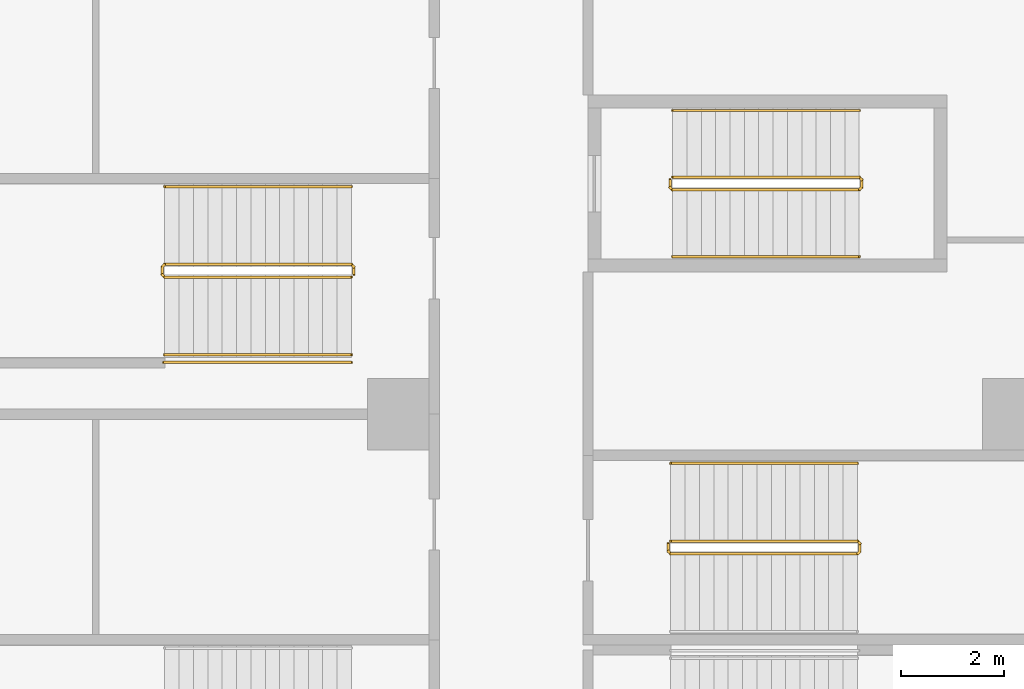
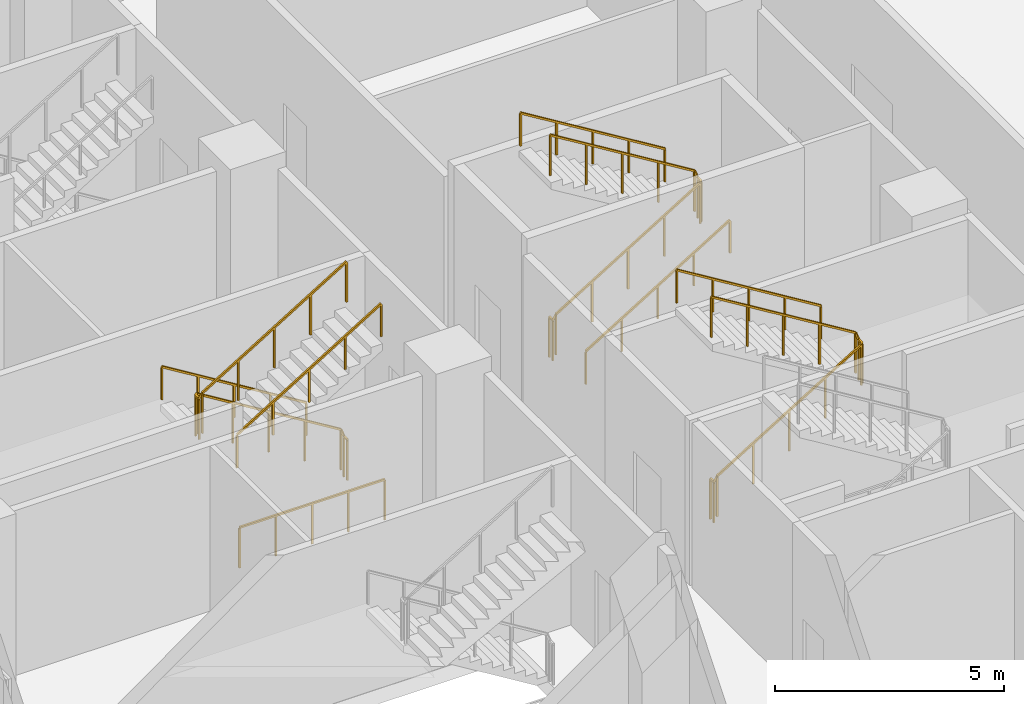
# One storey, part 26 of 31: 9 railings.
"""IFC4 building model written with IfcOpenShell, lengths in metres."""

from ifc_helpers import new_model, si_unit, direction, frame, origin, origin_2d, place, context, subcontext, project, spatial, rectangle, extrude, material, type_object, element, save


model = new_model("IFC4")

# Units and contexts
model_context = context("Model", 3, precision=1e-05, world=origin(), true_north=direction((0.0, 1.0)))
body_context = subcontext(model_context, "Body", "Model", "MODEL_VIEW")
ifc_project = project(units=[si_unit("LENGTHUNIT", "METRE"), si_unit("AREAUNIT", "SQUARE_METRE"), si_unit("VOLUMEUNIT", "CUBIC_METRE"), si_unit("PLANEANGLEUNIT", "RADIAN"), si_unit("MASSUNIT", "GRAM", prefix="KILO")], contexts=[model_context])

# Site, building, storey
site_placement = place(None, origin())
site = spatial("IfcSite", under=ifc_project, at=site_placement, CompositionType="ELEMENT")
building_placement = place(site_placement, origin())
building = spatial("IfcBuilding", under=site, at=building_placement, Name="Chenar Terraces", CompositionType="ELEMENT")
storey_placement = place(building_placement, frame((0.0, 0.0, 12.0)))
storey = spatial("IfcBuildingStorey", under=building, at=storey_placement, Name="L02", CompositionType="ELEMENT", Elevation=12.0)

# Railings
ifc_material_1 = material(Name="Powder-coated steel", Category="steel")
railing_type_1 = type_object("IfcRailingType", Name="Stair guard 1100", PredefinedType="GUARDRAIL", material=ifc_material_1)
railing_1_placement = place(storey_placement, frame((17.25, 49.625, 4.800048828125)))
element("IfcRailing", 1, at=railing_1_placement, inside=storey, type_object=railing_type_1, Name="L02 ST4 stair guard 1", PredefinedType="GUARDRAIL", context=body_context, shape_type="SweptSolid", body=[
    extrude(rectangle(XDim=0.048095703125, YDim=0.048095703125, at=origin_2d()), frame((0.0, 0.0, 1.076171875), z_axis=(0.852850264322, 0.0, -0.5221555579), x_axis=(0.0, 1.0, 0.0)), (0.0, 0.0, 1.0), 4.267822265625),
    extrude(rectangle(XDim=0.048095703125, YDim=0.048095703125, at=origin_2d()), frame((3.639892578125, 0.0, -1.15234375), z_axis=(0.269583098496, -0.269583098496, -0.924472771914), x_axis=(0.707106781187, 0.707106781187, 0.0)), (0.0, 0.0, 1.0), 0.185546875),
    extrude(rectangle(XDim=0.048095703125, YDim=0.048095703125, at=origin_2d()), frame((3.68994140625, -0.050048828125, -1.32421875), z_axis=(0.0, -1.0, 0.0), x_axis=(1.0, 0.0, 0.0)), (0.0, 0.0, 1.0), 0.14990234375),
    extrude(rectangle(XDim=0.048095703125, YDim=0.048095703125, at=origin_2d()), frame((3.68994140625, -0.199951171875, -1.32421875), z_axis=(-0.707106781187, -0.707106781187, 0.0), x_axis=(0.707106781187, -0.707106781187, 0.0)), (0.0, 0.0, 1.0), 0.07080078125),
    extrude(rectangle(XDim=0.048095703125, YDim=0.048095703125, at=origin_2d()), frame((3.639892578125, -0.25, -1.32421875), z_axis=(-0.852850264322, 0.0, -0.5221555579), x_axis=(0.0, -1.0, 0.0)), (0.0, 0.0, 1.0), 4.267822265625),
    extrude(rectangle(XDim=0.048095703125, YDim=0.048095703125, at=origin_2d()), frame((0.0, -0.25, -3.552734375), z_axis=(-0.269911200495, 0.269911200495, -0.924281281696), x_axis=(-0.707106781187, -0.707106781187, 0.0)), (0.0, 0.0, 1.0), 0.185546875),
    extrude(rectangle(XDim=0.048095703125, YDim=0.048095703125, at=origin_2d()), frame((-0.050048828125, -0.199951171875, -3.72412109375), z_axis=(0.0, 1.0, 0.0), x_axis=(-1.0, 0.0, 0.0)), (0.0, 0.0, 1.0), 0.14990234375),
    extrude(rectangle(XDim=0.0419921875, YDim=0.0419921875, at=origin_2d()), origin(), (0.0, 0.0, 1.0), 1.052001953125),
    extrude(rectangle(XDim=0.0419921875, YDim=0.0419921875, at=origin_2d()), frame((0.909912109375, 0.0, -0.55712890625)), (0.0, 0.0, 1.0), 1.052001953125),
    extrude(rectangle(XDim=0.0419921875, YDim=0.0419921875, at=origin_2d()), frame((1.81982421875, 0.0, -1.1142578125)), (0.0, 0.0, 1.0), 1.052001953125),
    extrude(rectangle(XDim=0.0419921875, YDim=0.0419921875, at=origin_2d()), frame((2.72998046875, 0.0, -1.67138671875)), (0.0, 0.0, 1.0), 1.052001953125),
    extrude(rectangle(XDim=0.0419921875, YDim=0.0419921875, at=origin_2d()), frame((3.639892578125, 0.0, -2.228515625)), (0.0, 0.0, 1.0), 1.052001953125),
    extrude(rectangle(XDim=0.0419921875, YDim=0.0419921875, at=origin_2d()), frame((3.68994140625, -0.050048828125, -2.400146484375)), (0.0, 0.0, 1.0), 1.052001953125),
    extrude(rectangle(XDim=0.0419921875, YDim=0.0419921875, at=origin_2d()), frame((3.68994140625, -0.199951171875, -2.400146484375)), (0.0, 0.0, 1.0), 1.052001953125),
    extrude(rectangle(XDim=0.0419921875, YDim=0.0419921875, at=origin_2d()), frame((3.639892578125, -0.25, -2.400146484375)), (0.0, 0.0, 1.0), 1.052001953125),
    extrude(rectangle(XDim=0.0419921875, YDim=0.0419921875, at=origin_2d()), frame((2.72998046875, -0.25, -2.957275390625)), (0.0, 0.0, 1.0), 1.052001953125),
    extrude(rectangle(XDim=0.0419921875, YDim=0.0419921875, at=origin_2d()), frame((1.81982421875, -0.25, -3.514404296875)), (0.0, 0.0, 1.0), 1.052001953125),
    extrude(rectangle(XDim=0.0419921875, YDim=0.0419921875, at=origin_2d()), frame((0.909912109375, -0.25, -4.071533203125)), (0.0, 0.0, 1.0), 1.052001953125),
    extrude(rectangle(XDim=0.0419921875, YDim=0.0419921875, at=origin_2d()), frame((0.0, -0.25, -4.628662109375)), (0.0, 0.0, 1.0), 1.052001953125),
    extrude(rectangle(XDim=0.0419921875, YDim=0.0419921875, at=origin_2d()), frame((-0.050048828125, -0.199951171875, -4.800048828125)), (0.0, 0.0, 1.0), 1.052001953125),
    extrude(rectangle(XDim=0.0419921875, YDim=0.0419921875, at=origin_2d()), frame((-0.050048828125, -0.050048828125, -4.800048828125)), (0.0, 0.0, 1.0), 1.052001953125),
])
railing_2_placement = place(storey_placement, frame((10.985107421875, 47.675048828125, 4.800048828125)))
element("IfcRailing", 2, at=railing_2_placement, inside=storey, type_object=railing_type_1, Name="L02 PS4 stair guard 1", PredefinedType="GUARDRAIL", context=body_context, shape_type="SweptSolid", body=[
    extrude(rectangle(XDim=0.048095703125, YDim=0.048095703125, at=origin_2d()), frame((0.0, 0.0, 1.076171875), z_axis=(-0.852865859571, 0.0, -0.52213008492), x_axis=(0.0, -1.0, 0.0)), (0.0, 0.0, 1.0), 4.26806640625),
    extrude(rectangle(XDim=0.048095703125, YDim=0.048095703125, at=origin_2d()), frame((-3.64013671875, 0.0, -1.15234375), z_axis=(-0.269583098496, 0.269583098496, -0.924472771914), x_axis=(-0.707106781187, -0.707106781187, 0.0)), (0.0, 0.0, 1.0), 0.185546875),
    extrude(rectangle(XDim=0.048095703125, YDim=0.048095703125, at=origin_2d()), frame((-3.690185546875, 0.050048828125, -1.32421875), z_axis=(0.0, 1.0, 0.0), x_axis=(-1.0, 0.0, 0.0)), (0.0, 0.0, 1.0), 0.14990234375),
    extrude(rectangle(XDim=0.048095703125, YDim=0.048095703125, at=origin_2d()), frame((-3.690185546875, 0.199951171875, -1.32421875), z_axis=(0.707106781187, 0.707106781187, 0.0), x_axis=(-0.707106781187, 0.707106781187, 0.0)), (0.0, 0.0, 1.0), 0.07080078125),
    extrude(rectangle(XDim=0.048095703125, YDim=0.048095703125, at=origin_2d()), frame((-3.64013671875, 0.25, -1.32421875), z_axis=(0.852865859571, 0.0, -0.52213008492), x_axis=(0.0, 1.0, 0.0)), (0.0, 0.0, 1.0), 4.26806640625),
    extrude(rectangle(XDim=0.048095703125, YDim=0.048095703125, at=origin_2d()), frame((0.0, 0.25, -3.552734375), z_axis=(0.268689830376, -0.270006937388, -0.924609122178), x_axis=(0.708833529934, 0.705375805398, 0.0)), (0.0, 0.0, 1.0), 0.185302734375),
    extrude(rectangle(XDim=0.048095703125, YDim=0.048095703125, at=origin_2d()), frame((0.0498046875, 0.199951171875, -3.72412109375), z_axis=(0.0, -1.0, 0.0), x_axis=(1.0, 0.0, 0.0)), (0.0, 0.0, 1.0), 0.14990234375),
    extrude(rectangle(XDim=0.0419921875, YDim=0.0419921875, at=origin_2d()), origin(), (0.0, 0.0, 1.0), 1.052001953125),
    extrude(rectangle(XDim=0.0419921875, YDim=0.0419921875, at=origin_2d()), frame((-0.91015625, 0.0, -0.55712890625)), (0.0, 0.0, 1.0), 1.052001953125),
    extrude(rectangle(XDim=0.0419921875, YDim=0.0419921875, at=origin_2d()), frame((-1.820068359375, 0.0, -1.1142578125)), (0.0, 0.0, 1.0), 1.052001953125),
    extrude(rectangle(XDim=0.0419921875, YDim=0.0419921875, at=origin_2d()), frame((-2.72998046875, 0.0, -1.67138671875)), (0.0, 0.0, 1.0), 1.052001953125),
    extrude(rectangle(XDim=0.0419921875, YDim=0.0419921875, at=origin_2d()), frame((-3.64013671875, 0.0, -2.228515625)), (0.0, 0.0, 1.0), 1.052001953125),
    extrude(rectangle(XDim=0.0419921875, YDim=0.0419921875, at=origin_2d()), frame((-3.690185546875, 0.050048828125, -2.400146484375)), (0.0, 0.0, 1.0), 1.052001953125),
    extrude(rectangle(XDim=0.0419921875, YDim=0.0419921875, at=origin_2d()), frame((-3.690185546875, 0.199951171875, -2.400146484375)), (0.0, 0.0, 1.0), 1.052001953125),
    extrude(rectangle(XDim=0.0419921875, YDim=0.0419921875, at=origin_2d()), frame((-3.64013671875, 0.25, -2.400146484375)), (0.0, 0.0, 1.0), 1.052001953125),
    extrude(rectangle(XDim=0.0419921875, YDim=0.0419921875, at=origin_2d()), frame((-2.72998046875, 0.25, -2.957275390625)), (0.0, 0.0, 1.0), 1.052001953125),
    extrude(rectangle(XDim=0.0419921875, YDim=0.0419921875, at=origin_2d()), frame((-1.820068359375, 0.25, -3.514404296875)), (0.0, 0.0, 1.0), 1.052001953125),
    extrude(rectangle(XDim=0.0419921875, YDim=0.0419921875, at=origin_2d()), frame((-0.91015625, 0.25, -4.071533203125)), (0.0, 0.0, 1.0), 1.052001953125),
    extrude(rectangle(XDim=0.0419921875, YDim=0.0419921875, at=origin_2d()), frame((0.0, 0.25, -4.628662109375)), (0.0, 0.0, 1.0), 1.052001953125),
    extrude(rectangle(XDim=0.0419921875, YDim=0.0419921875, at=origin_2d()), frame((0.0498046875, 0.199951171875, -4.800048828125)), (0.0, 0.0, 1.0), 1.052001953125),
    extrude(rectangle(XDim=0.0419921875, YDim=0.0419921875, at=origin_2d()), frame((0.0498046875, 0.050048828125, -4.800048828125)), (0.0, 0.0, 1.0), 1.052001953125),
])
railing_3_placement = place(storey_placement, frame((17.215087890625, 42.52490234375, 4.800048828125)))
element("IfcRailing", 3, at=railing_3_placement, inside=storey, type_object=railing_type_1, Name="L02 PS8 stair guard 1", PredefinedType="GUARDRAIL", context=body_context, shape_type="SweptSolid", body=[
    extrude(rectangle(XDim=0.048095703125, YDim=0.048095703125, at=origin_2d()), frame((0.0, 0.0, 1.076171875), z_axis=(0.852850264322, 0.0, -0.5221555579), x_axis=(0.0, 1.0, 0.0)), (0.0, 0.0, 1.0), 4.267822265625),
    extrude(rectangle(XDim=0.048095703125, YDim=0.048095703125, at=origin_2d()), frame((3.639892578125, 0.0, -1.15234375), z_axis=(0.269678486558, -0.268362981746, -0.924799883173), x_axis=(0.705375805398, 0.708833529934, 0.0)), (0.0, 0.0, 1.0), 0.185546875),
    extrude(rectangle(XDim=0.048095703125, YDim=0.048095703125, at=origin_2d()), frame((3.68994140625, -0.0498046875, -1.32421875), z_axis=(0.0, -1.0, 0.0), x_axis=(1.0, 0.0, 0.0)), (0.0, 0.0, 1.0), 0.150146484375),
    extrude(rectangle(XDim=0.048095703125, YDim=0.048095703125, at=origin_2d()), frame((3.68994140625, -0.199951171875, -1.32421875), z_axis=(-0.707106781187, -0.707106781187, 0.0), x_axis=(0.707106781187, -0.707106781187, 0.0)), (0.0, 0.0, 1.0), 0.07080078125),
    extrude(rectangle(XDim=0.048095703125, YDim=0.048095703125, at=origin_2d()), frame((3.639892578125, -0.25, -1.32421875), z_axis=(-0.852850264322, 0.0, -0.5221555579), x_axis=(0.0, -1.0, 0.0)), (0.0, 0.0, 1.0), 4.267822265625),
    extrude(rectangle(XDim=0.048095703125, YDim=0.048095703125, at=origin_2d()), frame((0.0, -0.25, -3.552734375), z_axis=(-0.269911200495, 0.269911200495, -0.924281281696), x_axis=(-0.707106781187, -0.707106781187, 0.0)), (0.0, 0.0, 1.0), 0.185546875),
    extrude(rectangle(XDim=0.048095703125, YDim=0.048095703125, at=origin_2d()), frame((-0.050048828125, -0.199951171875, -3.72412109375), z_axis=(0.0, 1.0, 0.0), x_axis=(-1.0, 0.0, 0.0)), (0.0, 0.0, 1.0), 0.150146484375),
    extrude(rectangle(XDim=0.0419921875, YDim=0.0419921875, at=origin_2d()), origin(), (0.0, 0.0, 1.0), 1.052001953125),
    extrude(rectangle(XDim=0.0419921875, YDim=0.0419921875, at=origin_2d()), frame((0.909912109375, 0.0, -0.55712890625)), (0.0, 0.0, 1.0), 1.052001953125),
    extrude(rectangle(XDim=0.0419921875, YDim=0.0419921875, at=origin_2d()), frame((1.81982421875, 0.0, -1.1142578125)), (0.0, 0.0, 1.0), 1.052001953125),
    extrude(rectangle(XDim=0.0419921875, YDim=0.0419921875, at=origin_2d()), frame((2.72998046875, 0.0, -1.67138671875)), (0.0, 0.0, 1.0), 1.052001953125),
    extrude(rectangle(XDim=0.0419921875, YDim=0.0419921875, at=origin_2d()), frame((3.639892578125, 0.0, -2.228515625)), (0.0, 0.0, 1.0), 1.052001953125),
    extrude(rectangle(XDim=0.0419921875, YDim=0.0419921875, at=origin_2d()), frame((3.68994140625, -0.0498046875, -2.400146484375)), (0.0, 0.0, 1.0), 1.052001953125),
    extrude(rectangle(XDim=0.0419921875, YDim=0.0419921875, at=origin_2d()), frame((3.68994140625, -0.199951171875, -2.400146484375)), (0.0, 0.0, 1.0), 1.052001953125),
    extrude(rectangle(XDim=0.0419921875, YDim=0.0419921875, at=origin_2d()), frame((3.639892578125, -0.25, -2.400146484375)), (0.0, 0.0, 1.0), 1.052001953125),
    extrude(rectangle(XDim=0.0419921875, YDim=0.0419921875, at=origin_2d()), frame((2.72998046875, -0.25, -2.957275390625)), (0.0, 0.0, 1.0), 1.052001953125),
    extrude(rectangle(XDim=0.0419921875, YDim=0.0419921875, at=origin_2d()), frame((1.81982421875, -0.25, -3.514404296875)), (0.0, 0.0, 1.0), 1.052001953125),
    extrude(rectangle(XDim=0.0419921875, YDim=0.0419921875, at=origin_2d()), frame((0.909912109375, -0.25, -4.071533203125)), (0.0, 0.0, 1.0), 1.052001953125),
    extrude(rectangle(XDim=0.0419921875, YDim=0.0419921875, at=origin_2d()), frame((0.0, -0.25, -4.628662109375)), (0.0, 0.0, 1.0), 1.052001953125),
    extrude(rectangle(XDim=0.0419921875, YDim=0.0419921875, at=origin_2d()), frame((-0.050048828125, -0.199951171875, -4.800048828125)), (0.0, 0.0, 1.0), 1.052001953125),
    extrude(rectangle(XDim=0.0419921875, YDim=0.0419921875, at=origin_2d()), frame((-0.050048828125, -0.0498046875, -4.800048828125)), (0.0, 0.0, 1.0), 1.052001953125),
])
railing_4_placement = place(storey_placement, frame((7.32421875, 46.010009765625, 0.0)))
element("IfcRailing", 4, at=railing_4_placement, inside=storey, type_object=railing_type_1, Name="L02 PS4 stair guard 101", PredefinedType="GUARDRAIL", context=body_context, shape_type="SweptSolid", body=[
    extrude(rectangle(XDim=0.048095703125, YDim=0.048095703125, at=origin_2d()), frame((0.0, 0.0, 1.076171875), z_axis=(1.0, 0.0, 0.0), x_axis=(0.0, 1.0, 0.0)), (0.0, 0.0, 1.0), 3.660888671875),
    extrude(rectangle(XDim=0.0419921875, YDim=0.0419921875, at=origin_2d()), origin(), (0.0, 0.0, 1.0), 1.052001953125),
    extrude(rectangle(XDim=0.0419921875, YDim=0.0419921875, at=origin_2d()), frame((0.915283203125, 0.0, 0.0)), (0.0, 0.0, 1.0), 1.052001953125),
    extrude(rectangle(XDim=0.0419921875, YDim=0.0419921875, at=origin_2d()), frame((1.83056640625, 0.0, 0.0)), (0.0, 0.0, 1.0), 1.052001953125),
    extrude(rectangle(XDim=0.0419921875, YDim=0.0419921875, at=origin_2d()), frame((2.74560546875, 0.0, 0.0)), (0.0, 0.0, 1.0), 1.052001953125),
    extrude(rectangle(XDim=0.0419921875, YDim=0.0419921875, at=origin_2d()), frame((3.660888671875, 0.0, 0.0)), (0.0, 0.0, 1.0), 1.052001953125),
])
ifc_material_2 = material(Name="Powder-coated steel", Category="steel")
railing_type_2 = type_object("IfcRailingType", Name="Stair handrail 900", PredefinedType="HANDRAIL", material=ifc_material_2)
railing_5_placement = place(storey_placement, frame((17.25, 48.074951171875, 0.17138671875)))
element("IfcRailing", 5, at=railing_5_placement, inside=storey, type_object=railing_type_2, Name="L02 ST4 stair handrail 1", PredefinedType="HANDRAIL", context=body_context, shape_type="SweptSolid", body=[
    extrude(rectangle(XDim=0.048095703125, YDim=0.048095703125, at=origin_2d()), frame((0.0, 0.0, 0.8759765625), z_axis=(0.852850264322, 0.0, 0.5221555579), x_axis=(0.0, 1.0, 0.0)), (0.0, 0.0, 1.0), 4.267822265625),
    extrude(rectangle(XDim=0.0419921875, YDim=0.0419921875, at=origin_2d()), origin(), (0.0, 0.0, 1.0), 0.851806640625),
    extrude(rectangle(XDim=0.0419921875, YDim=0.0419921875, at=origin_2d()), frame((0.909912109375, 0.0, 0.55712890625)), (0.0, 0.0, 1.0), 0.851806640625),
    extrude(rectangle(XDim=0.0419921875, YDim=0.0419921875, at=origin_2d()), frame((1.81982421875, 0.0, 1.1142578125)), (0.0, 0.0, 1.0), 0.851806640625),
    extrude(rectangle(XDim=0.0419921875, YDim=0.0419921875, at=origin_2d()), frame((2.72998046875, 0.0, 1.67138671875)), (0.0, 0.0, 1.0), 0.851806640625),
    extrude(rectangle(XDim=0.0419921875, YDim=0.0419921875, at=origin_2d()), frame((3.639892578125, 0.0, 2.228515625)), (0.0, 0.0, 1.0), 0.851806640625),
])
railing_6_placement = place(storey_placement, frame((20.889892578125, 50.925048828125, 2.571533203125)))
element("IfcRailing", 6, at=railing_6_placement, inside=storey, type_object=railing_type_2, Name="L02 ST4 stair handrail 2", PredefinedType="HANDRAIL", context=body_context, shape_type="SweptSolid", body=[
    extrude(rectangle(XDim=0.048095703125, YDim=0.048095703125, at=origin_2d()), frame((0.0, 0.0, 0.8759765625), z_axis=(-0.852850264322, 0.0, 0.5221555579), x_axis=(0.0, -1.0, 0.0)), (0.0, 0.0, 1.0), 4.267822265625),
    extrude(rectangle(XDim=0.0419921875, YDim=0.0419921875, at=origin_2d()), origin(), (0.0, 0.0, 1.0), 0.851806640625),
    extrude(rectangle(XDim=0.0419921875, YDim=0.0419921875, at=origin_2d()), frame((-0.909912109375, 0.0, 0.55712890625)), (0.0, 0.0, 1.0), 0.851806640625),
    extrude(rectangle(XDim=0.0419921875, YDim=0.0419921875, at=origin_2d()), frame((-1.81982421875, 0.0, 1.1142578125)), (0.0, 0.0, 1.0), 0.851806640625),
    extrude(rectangle(XDim=0.0419921875, YDim=0.0419921875, at=origin_2d()), frame((-2.72998046875, 0.0, 1.67138671875)), (0.0, 0.0, 1.0), 0.851806640625),
    extrude(rectangle(XDim=0.0419921875, YDim=0.0419921875, at=origin_2d()), frame((-3.639892578125, 0.0, 2.228515625)), (0.0, 0.0, 1.0), 0.851806640625),
])
railing_7_placement = place(storey_placement, frame((10.985107421875, 49.43994140625, 0.17138671875)))
element("IfcRailing", 7, at=railing_7_placement, inside=storey, type_object=railing_type_2, Name="L02 PS4 stair handrail 1", PredefinedType="HANDRAIL", context=body_context, shape_type="SweptSolid", body=[
    extrude(rectangle(XDim=0.048095703125, YDim=0.048095703125, at=origin_2d()), frame((0.0, 0.0, 0.8759765625), z_axis=(-0.852865859571, 0.0, 0.52213008492), x_axis=(0.0, -1.0, 0.0)), (0.0, 0.0, 1.0), 4.26806640625),
    extrude(rectangle(XDim=0.0419921875, YDim=0.0419921875, at=origin_2d()), origin(), (0.0, 0.0, 1.0), 0.851806640625),
    extrude(rectangle(XDim=0.0419921875, YDim=0.0419921875, at=origin_2d()), frame((-0.91015625, 0.0, 0.55712890625)), (0.0, 0.0, 1.0), 0.851806640625),
    extrude(rectangle(XDim=0.0419921875, YDim=0.0419921875, at=origin_2d()), frame((-1.820068359375, 0.0, 1.1142578125)), (0.0, 0.0, 1.0), 0.851806640625),
    extrude(rectangle(XDim=0.0419921875, YDim=0.0419921875, at=origin_2d()), frame((-2.72998046875, 0.0, 1.67138671875)), (0.0, 0.0, 1.0), 0.851806640625),
    extrude(rectangle(XDim=0.0419921875, YDim=0.0419921875, at=origin_2d()), frame((-3.64013671875, 0.0, 2.228515625)), (0.0, 0.0, 1.0), 0.851806640625),
])
railing_8_placement = place(storey_placement, frame((7.344970703125, 46.159912109375, 2.571533203125)))
element("IfcRailing", 8, at=railing_8_placement, inside=storey, type_object=railing_type_2, Name="L02 PS4 stair handrail 2", PredefinedType="HANDRAIL", context=body_context, shape_type="SweptSolid", body=[
    extrude(rectangle(XDim=0.048095703125, YDim=0.048095703125, at=origin_2d()), frame((0.0, 0.0, 0.8759765625), z_axis=(0.852865859571, 0.0, 0.52213008492), x_axis=(0.0, 1.0, 0.0)), (0.0, 0.0, 1.0), 4.26806640625),
    extrude(rectangle(XDim=0.0419921875, YDim=0.0419921875, at=origin_2d()), origin(), (0.0, 0.0, 1.0), 0.851806640625),
    extrude(rectangle(XDim=0.0419921875, YDim=0.0419921875, at=origin_2d()), frame((0.91015625, 0.0, 0.55712890625)), (0.0, 0.0, 1.0), 0.851806640625),
    extrude(rectangle(XDim=0.0419921875, YDim=0.0419921875, at=origin_2d()), frame((1.820068359375, 0.0, 1.1142578125)), (0.0, 0.0, 1.0), 0.851806640625),
    extrude(rectangle(XDim=0.0419921875, YDim=0.0419921875, at=origin_2d()), frame((2.72998046875, 0.0, 1.67138671875)), (0.0, 0.0, 1.0), 0.851806640625),
    extrude(rectangle(XDim=0.0419921875, YDim=0.0419921875, at=origin_2d()), frame((3.64013671875, 0.0, 2.228515625)), (0.0, 0.0, 1.0), 0.851806640625),
])
railing_9_placement = place(storey_placement, frame((20.85498046875, 44.0400390625, 2.571533203125)))
element("IfcRailing", 9, at=railing_9_placement, inside=storey, type_object=railing_type_2, Name="L02 PS8 stair handrail 2", PredefinedType="HANDRAIL", context=body_context, shape_type="SweptSolid", body=[
    extrude(rectangle(XDim=0.048095703125, YDim=0.048095703125, at=origin_2d()), frame((0.0, 0.0, 0.8759765625), z_axis=(-0.852850264322, 0.0, 0.5221555579), x_axis=(0.0, -1.0, 0.0)), (0.0, 0.0, 1.0), 4.267822265625),
    extrude(rectangle(XDim=0.0419921875, YDim=0.0419921875, at=origin_2d()), origin(), (0.0, 0.0, 1.0), 0.851806640625),
    extrude(rectangle(XDim=0.0419921875, YDim=0.0419921875, at=origin_2d()), frame((-0.909912109375, 0.0, 0.55712890625)), (0.0, 0.0, 1.0), 0.851806640625),
    extrude(rectangle(XDim=0.0419921875, YDim=0.0419921875, at=origin_2d()), frame((-1.81982421875, 0.0, 1.1142578125)), (0.0, 0.0, 1.0), 0.851806640625),
    extrude(rectangle(XDim=0.0419921875, YDim=0.0419921875, at=origin_2d()), frame((-2.72998046875, 0.0, 1.67138671875)), (0.0, 0.0, 1.0), 0.851806640625),
    extrude(rectangle(XDim=0.0419921875, YDim=0.0419921875, at=origin_2d()), frame((-3.639892578125, 0.0, 2.228515625)), (0.0, 0.0, 1.0), 0.851806640625),
])

save(model, "model.ifc")
